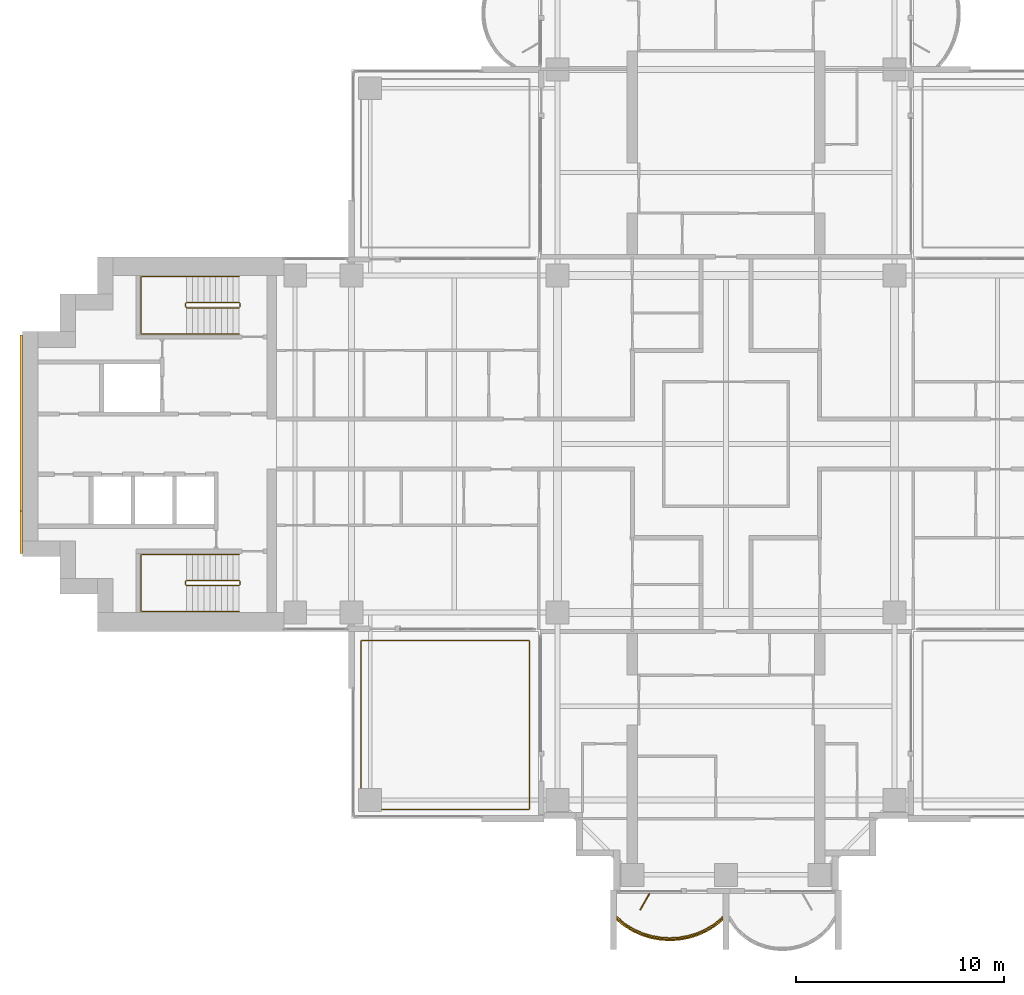
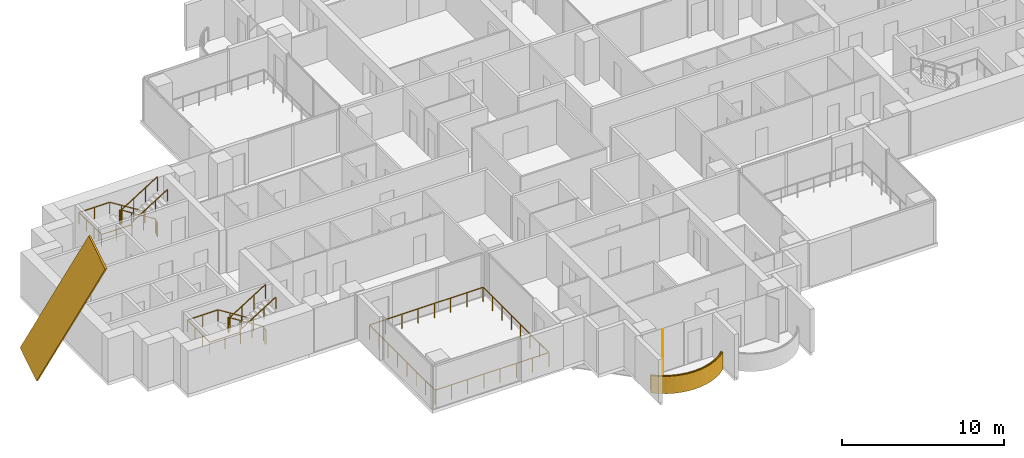
# One storey, part 15 of 18: 6 railings, 2 coverings, 1 shading device.
"""IFC4 building model written with IfcOpenShell, lengths in metres."""

from ifc_helpers import new_model, si_unit, direction, frame, origin, origin_2d, place, context, subcontext, project, spatial, polyline, rectangle, outline, extrude, material, layer, layer_set, material_profile, profile_set, type_object, element, save


model = new_model("IFC4")

# Units and contexts
model_context = context("Model", 3, precision=1e-05, world=origin(), true_north=direction((0.0, 1.0)))
body_context = subcontext(model_context, "Body", "Model", "MODEL_VIEW")
ifc_project = project(units=[si_unit("LENGTHUNIT", "METRE"), si_unit("AREAUNIT", "SQUARE_METRE"), si_unit("VOLUMEUNIT", "CUBIC_METRE"), si_unit("PLANEANGLEUNIT", "RADIAN"), si_unit("MASSUNIT", "GRAM", prefix="KILO")], contexts=[model_context])

# Site, building, storey
site_placement = place(None, origin())
site = spatial("IfcSite", under=ifc_project, at=site_placement, CompositionType="ELEMENT")
building_placement = place(site_placement, origin())
building = spatial("IfcBuilding", under=site, at=building_placement, Name="Perihelion Cross Residences", CompositionType="ELEMENT")
storey_placement = place(building_placement, frame((0.0, 0.0, 140.89990234375)))
storey = spatial("IfcBuildingStorey", under=building, at=storey_placement, Name="L34", CompositionType="ELEMENT", Elevation=140.89990234375)

# Covering
ifc_material_1 = material(Name="Bronze anodised aluminium", Category="aluminium")
ifc_layer_1 = layer(ifc_material_1, 0.070068359375)
ifc_layer_set_1 = layer_set([ifc_layer_1], Name="Balcony fascia 1300")
covering_type_1 = type_object("IfcCoveringType", Name="Balcony fascia 1300", PredefinedType="CLADDING", material=ifc_layer_set_1)
covering_1_placement = place(storey_placement, frame((0.0, 0.0, -0.199951171875)))
element("IfcCovering", 1, at=covering_1_placement, inside=storey, type_object=covering_type_1, Name="Fascia BF1 L34 south tip south bay 1", PredefinedType="CLADDING", context=body_context, shape_type="SweptSolid", body=[
    extrude(outline(polyline([(-4.86474609375, -23.197509765625), (-4.431884765625, -23.455078125), (-3.998779296875, -23.642578125), (-3.56591796875, -23.7705078125), (-3.133056640625, -23.845458984375), (-2.699951171875, -23.8701171875), (-2.26708984375, -23.845458984375), (-1.833984375, -23.7705078125), (-1.401123046875, -23.642578125), (-0.96826171875, -23.455078125), (-0.53515625, -23.197509765625), (-0.14990234375, -22.8896484375), (-0.14990234375, -22.800048828125), (-0.574951171875, -23.14013671875), (-1.0, -23.392578125), (-1.425048828125, -23.57666015625), (-1.85009765625, -23.702392578125), (-2.27490234375, -23.77587890625), (-2.699951171875, -23.800048828125), (-3.125, -23.77587890625), (-3.550048828125, -23.702392578125), (-3.97509765625, -23.57666015625), (-4.39990234375, -23.392578125), (-4.824951171875, -23.14013671875), (-5.25, -22.800048828125), (-5.25, -22.8896484375), (-4.86474609375, -23.197509765625)])), origin(), (0.0, 0.0, 1.0), 1.300048828125),
])

# Railings
ifc_material_2 = material(Name="Bronze anodised aluminium", Category="aluminium")
railing_type_1 = type_object("IfcRailingType", Name="Balcony guard 1100", PredefinedType="GUARDRAIL", material=ifc_material_2)
railing_1_placement = place(storey_placement, frame((-5.22509765625, -22.739990234375, 0.0)))
element("IfcRailing", 2, at=railing_1_placement, inside=storey, type_object=railing_type_1, Name="Guard GU1 L34 south tip south bay 1 balcony", PredefinedType="GUARDRAIL", context=body_context, shape_type="SweptSolid", body=[
    extrude(rectangle(XDim=0.048095703125, YDim=0.048095703125, at=origin_2d()), frame((0.0, 0.0, 1.076171875), z_axis=(0.761973728849, -0.647607934281, 0.0), x_axis=(0.647607934281, 0.761973728849, 0.0)), (0.0, 0.0, 1.0), 0.525146484375),
    extrude(rectangle(XDim=0.048095703125, YDim=0.048095703125, at=origin_2d()), frame((0.400146484375, -0.340087890625, 1.076171875), z_axis=(0.859576918062, -0.511006381501, 0.0), x_axis=(0.511006381501, 0.859576918062, 0.0)), (0.0, 0.0, 1.0), 0.494384765625),
    extrude(rectangle(XDim=0.048095703125, YDim=0.048095703125, at=origin_2d()), frame((0.8251953125, -0.5927734375, 1.076171875), z_axis=(0.917747942671, -0.397163333811, 0.0), x_axis=(0.397163333811, 0.917747942671, 0.0)), (0.0, 0.0, 1.0), 0.462890625),
    extrude(rectangle(XDim=0.048095703125, YDim=0.048095703125, at=origin_2d()), frame((1.25, -0.776611328125, 1.076171875), z_axis=(0.958925815697, -0.283656975924, 0.0), x_axis=(0.283656975924, 0.958925815697, 0.0)), (0.0, 0.0, 1.0), 0.443359375),
    extrude(rectangle(XDim=0.048095703125, YDim=0.048095703125, at=origin_2d()), frame((1.675048828125, -0.90234375, 1.076171875), z_axis=(0.985381583142, -0.17036177859, 0.0), x_axis=(0.17036177859, 0.985381583142, 0.0)), (0.0, 0.0, 1.0), 0.431396484375),
    extrude(rectangle(XDim=0.048095703125, YDim=0.048095703125, at=origin_2d()), frame((2.10009765625, -0.975830078125, 1.076171875), z_axis=(0.998387160354, -0.056772159032, 0.0), x_axis=(0.056772159032, 0.998387160354, 0.0)), (0.0, 0.0, 1.0), 0.42578125),
    extrude(rectangle(XDim=0.048095703125, YDim=0.048095703125, at=origin_2d()), frame((2.525146484375, -1.0, 1.076171875), z_axis=(0.998387160354, 0.056772159032, 0.0), x_axis=(-0.056772159032, 0.998387160354, 0.0)), (0.0, 0.0, 1.0), 0.42578125),
    extrude(rectangle(XDim=0.048095703125, YDim=0.048095703125, at=origin_2d()), frame((2.9501953125, -0.975830078125, 1.076171875), z_axis=(0.985365142702, 0.170456843651, 0.0), x_axis=(-0.170456843651, 0.985365142702, 0.0)), (0.0, 0.0, 1.0), 0.43115234375),
    extrude(rectangle(XDim=0.048095703125, YDim=0.048095703125, at=origin_2d()), frame((3.375, -0.90234375, 1.076171875), z_axis=(0.958925815697, 0.283656975924, 0.0), x_axis=(-0.283656975924, 0.958925815697, 0.0)), (0.0, 0.0, 1.0), 0.443359375),
    extrude(rectangle(XDim=0.048095703125, YDim=0.048095703125, at=origin_2d()), frame((3.800048828125, -0.776611328125, 1.076171875), z_axis=(0.917831080218, 0.396971167952, 0.0), x_axis=(-0.396971167952, 0.917831080218, 0.0)), (0.0, 0.0, 1.0), 0.463134765625),
    extrude(rectangle(XDim=0.048095703125, YDim=0.048095703125, at=origin_2d()), frame((4.22509765625, -0.5927734375, 1.076171875), z_axis=(0.859576918062, 0.511006381501, 0.0), x_axis=(-0.511006381501, 0.859576918062, 0.0)), (0.0, 0.0, 1.0), 0.494384765625),
    extrude(rectangle(XDim=0.048095703125, YDim=0.048095703125, at=origin_2d()), frame((4.650146484375, -0.340087890625, 1.076171875), z_axis=(0.761778647315, 0.647837396648, 0.0), x_axis=(-0.647837396648, 0.761778647315, 0.0)), (0.0, 0.0, 1.0), 0.52490234375),
    extrude(rectangle(XDim=0.0419921875, YDim=0.0419921875, at=origin_2d()), origin(), (0.0, 0.0, 1.0), 1.052001953125),
    extrude(rectangle(XDim=0.0419921875, YDim=0.0419921875, at=origin_2d()), frame((0.400146484375, -0.340087890625, 0.0)), (0.0, 0.0, 1.0), 1.052001953125),
    extrude(rectangle(XDim=0.0419921875, YDim=0.0419921875, at=origin_2d()), frame((0.8251953125, -0.5927734375, 0.0)), (0.0, 0.0, 1.0), 1.052001953125),
    extrude(rectangle(XDim=0.0419921875, YDim=0.0419921875, at=origin_2d()), frame((1.25, -0.776611328125, 0.0)), (0.0, 0.0, 1.0), 1.052001953125),
    extrude(rectangle(XDim=0.0419921875, YDim=0.0419921875, at=origin_2d()), frame((1.675048828125, -0.90234375, 0.0)), (0.0, 0.0, 1.0), 1.052001953125),
    extrude(rectangle(XDim=0.0419921875, YDim=0.0419921875, at=origin_2d()), frame((2.10009765625, -0.975830078125, 0.0)), (0.0, 0.0, 1.0), 1.052001953125),
    extrude(rectangle(XDim=0.0419921875, YDim=0.0419921875, at=origin_2d()), frame((2.525146484375, -1.0, 0.0)), (0.0, 0.0, 1.0), 1.052001953125),
    extrude(rectangle(XDim=0.0419921875, YDim=0.0419921875, at=origin_2d()), frame((2.9501953125, -0.975830078125, 0.0)), (0.0, 0.0, 1.0), 1.052001953125),
    extrude(rectangle(XDim=0.0419921875, YDim=0.0419921875, at=origin_2d()), frame((3.375, -0.90234375, 0.0)), (0.0, 0.0, 1.0), 1.052001953125),
    extrude(rectangle(XDim=0.0419921875, YDim=0.0419921875, at=origin_2d()), frame((3.800048828125, -0.776611328125, 0.0)), (0.0, 0.0, 1.0), 1.052001953125),
    extrude(rectangle(XDim=0.0419921875, YDim=0.0419921875, at=origin_2d()), frame((4.22509765625, -0.5927734375, 0.0)), (0.0, 0.0, 1.0), 1.052001953125),
    extrude(rectangle(XDim=0.0419921875, YDim=0.0419921875, at=origin_2d()), frame((4.650146484375, -0.340087890625, 0.0)), (0.0, 0.0, 1.0), 1.052001953125),
    extrude(rectangle(XDim=0.0419921875, YDim=0.0419921875, at=origin_2d()), frame((5.050048828125, 0.0, 0.0)), (0.0, 0.0, 1.0), 1.052001953125),
])
railing_2_placement = place(storey_placement, frame((-9.449951171875, -17.550048828125, 0.0)))
element("IfcRailing", 3, at=railing_2_placement, inside=storey, type_object=railing_type_1, Name="Guard GU1 L34 pocket south-west 1", PredefinedType="GUARDRAIL", context=body_context, shape_type="SweptSolid", body=[
    extrude(rectangle(XDim=0.048095703125, YDim=0.048095703125, at=origin_2d()), frame((0.0, 0.0, 1.076171875), z_axis=(-1.0, 0.0, 0.0), x_axis=(0.0, -1.0, 0.0)), (0.0, 0.0, 1.0), 8.10009765625),
    extrude(rectangle(XDim=0.048095703125, YDim=0.048095703125, at=origin_2d()), frame((-8.10009765625, 0.0, 1.076171875), z_axis=(0.0, 1.0, 0.0), x_axis=(-1.0, 0.0, 0.0)), (0.0, 0.0, 1.0), 8.10009765625),
    extrude(rectangle(XDim=0.048095703125, YDim=0.048095703125, at=origin_2d()), frame((-8.10009765625, 8.10009765625, 1.076171875), z_axis=(1.0, 0.0, 0.0), x_axis=(0.0, 1.0, 0.0)), (0.0, 0.0, 1.0), 8.10009765625),
    extrude(rectangle(XDim=0.048095703125, YDim=0.048095703125, at=origin_2d()), frame((0.0, 8.10009765625, 1.076171875), z_axis=(0.0, -1.0, 0.0), x_axis=(1.0, 0.0, 0.0)), (0.0, 0.0, 1.0), 8.10009765625),
    extrude(rectangle(XDim=0.0419921875, YDim=0.0419921875, at=origin_2d()), origin(), (0.0, 0.0, 1.0), 1.052001953125),
    extrude(rectangle(XDim=0.0419921875, YDim=0.0419921875, at=origin_2d()), frame((-1.1572265625, 0.0, 0.0)), (0.0, 0.0, 1.0), 1.052001953125),
    extrude(rectangle(XDim=0.0419921875, YDim=0.0419921875, at=origin_2d()), frame((-2.314208984375, 0.0, 0.0)), (0.0, 0.0, 1.0), 1.052001953125),
    extrude(rectangle(XDim=0.0419921875, YDim=0.0419921875, at=origin_2d()), frame((-3.471435546875, 0.0, 0.0)), (0.0, 0.0, 1.0), 1.052001953125),
    extrude(rectangle(XDim=0.0419921875, YDim=0.0419921875, at=origin_2d()), frame((-4.628662109375, 0.0, 0.0)), (0.0, 0.0, 1.0), 1.052001953125),
    extrude(rectangle(XDim=0.0419921875, YDim=0.0419921875, at=origin_2d()), frame((-5.785888671875, 0.0, 0.0)), (0.0, 0.0, 1.0), 1.052001953125),
    extrude(rectangle(XDim=0.0419921875, YDim=0.0419921875, at=origin_2d()), frame((-6.94287109375, 0.0, 0.0)), (0.0, 0.0, 1.0), 1.052001953125),
    extrude(rectangle(XDim=0.0419921875, YDim=0.0419921875, at=origin_2d()), frame((-8.10009765625, 0.0, 0.0)), (0.0, 0.0, 1.0), 1.052001953125),
    extrude(rectangle(XDim=0.0419921875, YDim=0.0419921875, at=origin_2d()), frame((-8.10009765625, 1.1572265625, 0.0)), (0.0, 0.0, 1.0), 1.052001953125),
    extrude(rectangle(XDim=0.0419921875, YDim=0.0419921875, at=origin_2d()), frame((-8.10009765625, 2.314208984375, 0.0)), (0.0, 0.0, 1.0), 1.052001953125),
    extrude(rectangle(XDim=0.0419921875, YDim=0.0419921875, at=origin_2d()), frame((-8.10009765625, 3.471435546875, 0.0)), (0.0, 0.0, 1.0), 1.052001953125),
    extrude(rectangle(XDim=0.0419921875, YDim=0.0419921875, at=origin_2d()), frame((-8.10009765625, 4.628662109375, 0.0)), (0.0, 0.0, 1.0), 1.052001953125),
    extrude(rectangle(XDim=0.0419921875, YDim=0.0419921875, at=origin_2d()), frame((-8.10009765625, 5.785888671875, 0.0)), (0.0, 0.0, 1.0), 1.052001953125),
    extrude(rectangle(XDim=0.0419921875, YDim=0.0419921875, at=origin_2d()), frame((-8.10009765625, 6.94287109375, 0.0)), (0.0, 0.0, 1.0), 1.052001953125),
    extrude(rectangle(XDim=0.0419921875, YDim=0.0419921875, at=origin_2d()), frame((-8.10009765625, 8.10009765625, 0.0)), (0.0, 0.0, 1.0), 1.052001953125),
    extrude(rectangle(XDim=0.0419921875, YDim=0.0419921875, at=origin_2d()), frame((-6.94287109375, 8.10009765625, 0.0)), (0.0, 0.0, 1.0), 1.052001953125),
    extrude(rectangle(XDim=0.0419921875, YDim=0.0419921875, at=origin_2d()), frame((-5.785888671875, 8.10009765625, 0.0)), (0.0, 0.0, 1.0), 1.052001953125),
    extrude(rectangle(XDim=0.0419921875, YDim=0.0419921875, at=origin_2d()), frame((-4.628662109375, 8.10009765625, 0.0)), (0.0, 0.0, 1.0), 1.052001953125),
    extrude(rectangle(XDim=0.0419921875, YDim=0.0419921875, at=origin_2d()), frame((-3.471435546875, 8.10009765625, 0.0)), (0.0, 0.0, 1.0), 1.052001953125),
    extrude(rectangle(XDim=0.0419921875, YDim=0.0419921875, at=origin_2d()), frame((-2.314208984375, 8.10009765625, 0.0)), (0.0, 0.0, 1.0), 1.052001953125),
    extrude(rectangle(XDim=0.0419921875, YDim=0.0419921875, at=origin_2d()), frame((-1.1572265625, 8.10009765625, 0.0)), (0.0, 0.0, 1.0), 1.052001953125),
    extrude(rectangle(XDim=0.0419921875, YDim=0.0419921875, at=origin_2d()), frame((0.0, 8.10009765625, 0.0)), (0.0, 0.0, 1.0), 1.052001953125),
    extrude(rectangle(XDim=0.0419921875, YDim=0.0419921875, at=origin_2d()), frame((0.0, 6.94287109375, 0.0)), (0.0, 0.0, 1.0), 1.052001953125),
    extrude(rectangle(XDim=0.0419921875, YDim=0.0419921875, at=origin_2d()), frame((0.0, 5.785888671875, 0.0)), (0.0, 0.0, 1.0), 1.052001953125),
    extrude(rectangle(XDim=0.0419921875, YDim=0.0419921875, at=origin_2d()), frame((0.0, 4.628662109375, 0.0)), (0.0, 0.0, 1.0), 1.052001953125),
    extrude(rectangle(XDim=0.0419921875, YDim=0.0419921875, at=origin_2d()), frame((0.0, 3.471435546875, 0.0)), (0.0, 0.0, 1.0), 1.052001953125),
    extrude(rectangle(XDim=0.0419921875, YDim=0.0419921875, at=origin_2d()), frame((0.0, 2.314208984375, 0.0)), (0.0, 0.0, 1.0), 1.052001953125),
    extrude(rectangle(XDim=0.0419921875, YDim=0.0419921875, at=origin_2d()), frame((0.0, 1.1572265625, 0.0)), (0.0, 0.0, 1.0), 1.052001953125),
])

# Covering
ifc_material_3 = material(Name="Bronze anodised aluminium", Category="aluminium")
ifc_material_profile = material_profile(ifc_material_3, rectangle(XDim=0.125, YDim=2.39990234375, at=origin_2d()), Name="Bronze cladding band 2400")
ifc_profile_set = profile_set([ifc_material_profile], Name="Bronze anodised aluminium")
covering_type_2 = type_object("IfcCoveringType", Name="Bronze cladding band 2400", PredefinedType="CLADDING", material=ifc_profile_set)
covering_2_placement = place(storey_placement, frame((-33.862548828125, 4.232421875, -4.45166015625), z_axis=(0.0, -0.529924750763, 0.848044667767), x_axis=(1.0, 0.0, 0.0)))
element("IfcCovering", 4, at=covering_2_placement, inside=storey, type_object=covering_type_2, Name="Core cladding band, west core", PredefinedType="CLADDING", context=body_context, shape_type="SweptSolid", body=[
    extrude(rectangle(XDim=0.125, YDim=2.39990234375, at=origin_2d()), origin(), (0.0, 0.0, 1.0), 15.9736328125),
])

# Shading device
ifc_material_4 = material(Name="Bronze anodised aluminium", Category="aluminium")
ifc_layer_2 = layer(ifc_material_4, 0.050048828125)
ifc_layer_set_2 = layer_set([ifc_layer_2], Name="Bronze fin 900")
shading_device_type = type_object("IfcShadingDeviceType", Name="Bronze fin 900", PredefinedType="USERDEFINED", material=ifc_layer_set_2)
shading_device_placement = place(storey_placement, frame((-3.89990234375, -21.98974609375, 0.0), z_axis=(0.0, 0.0, 1.0), x_axis=(-0.5, -0.866025403784, 0.0)))
element("IfcShadingDevice", 5, at=shading_device_placement, inside=storey, type_object=shading_device_type, Name="Fin FN1 L34 south tip south bay 1", ObjectType="FIN", PredefinedType="USERDEFINED", context=body_context, shape_type="SweptSolid", body=[
    extrude(rectangle(XDim=0.89990234375, YDim=0.050048828125, at=origin_2d()), origin(), (0.0, 0.0, 1.0), 3.25),
])

# Railings
ifc_material_5 = material(Name="Stainless steel", Category="steel")
railing_type_2 = type_object("IfcRailingType", Name="Stair guard 1100", PredefinedType="GUARDRAIL", material=ifc_material_5)
railing_3_placement = place(storey_placement, frame((-23.35009765625, 6.60009765625, 0.0)))
element("IfcRailing", 6, at=railing_3_placement, inside=storey, type_object=railing_type_2, Name="L34 ST-W1 stair guard 1", PredefinedType="GUARDRAIL", context=body_context, shape_type="SweptSolid", body=[
    extrude(rectangle(XDim=0.048095703125, YDim=0.048095703125, at=origin_2d()), frame((0.0, 0.0, 1.076171875), z_axis=(0.0, 1.0, 0.0), x_axis=(-1.0, 0.0, 0.0)), (0.0, 0.0, 1.0), 0.14990234375),
    extrude(rectangle(XDim=0.048095703125, YDim=0.048095703125, at=origin_2d()), frame((0.0, 0.14990234375, 1.076171875), z_axis=(-0.263862480399, 0.265155923931, 0.927399011991), x_axis=(-0.708833529934, -0.705375805398, 0.0)), (0.0, 0.0, 1.0), 0.188720703125),
    extrude(rectangle(XDim=0.048095703125, YDim=0.048095703125, at=origin_2d()), frame((-0.0498046875, 0.199951171875, 1.2509765625), z_axis=(-0.848007534815, 0.0, 0.529984170421), x_axis=(0.0, -1.0, 0.0)), (0.0, 0.0, 1.0), 2.9716796875),
    extrude(rectangle(XDim=0.048095703125, YDim=0.048095703125, at=origin_2d()), frame((-2.56982421875, 0.199951171875, 2.826171875), z_axis=(-0.707106781187, -0.707106781187, 0.0), x_axis=(0.707106781187, -0.707106781187, 0.0)), (0.0, 0.0, 1.0), 0.07080078125),
    extrude(rectangle(XDim=0.048095703125, YDim=0.048095703125, at=origin_2d()), frame((-2.619873046875, 0.14990234375, 2.826171875), z_axis=(0.0, -1.0, 0.0), x_axis=(1.0, 0.0, 0.0)), (0.0, 0.0, 1.0), 0.14990234375),
    extrude(rectangle(XDim=0.048095703125, YDim=0.048095703125, at=origin_2d()), frame((-2.619873046875, 0.0, 2.826171875), z_axis=(0.265065253269, -0.265065253269, 0.927081885822), x_axis=(0.707106781187, 0.707106781187, 0.0)), (0.0, 0.0, 1.0), 0.188720703125),
    extrude(rectangle(XDim=0.048095703125, YDim=0.048095703125, at=origin_2d()), frame((-2.56982421875, -0.050048828125, 3.0009765625), z_axis=(0.848007534815, 0.0, 0.529984170421), x_axis=(0.0, 1.0, 0.0)), (0.0, 0.0, 1.0), 2.9716796875),
    extrude(rectangle(XDim=0.0419921875, YDim=0.0419921875, at=origin_2d()), origin(), (0.0, 0.0, 1.0), 1.052001953125),
    extrude(rectangle(XDim=0.0419921875, YDim=0.0419921875, at=origin_2d()), frame((0.0, 0.14990234375, 0.0)), (0.0, 0.0, 1.0), 1.052001953125),
    extrude(rectangle(XDim=0.0419921875, YDim=0.0419921875, at=origin_2d()), frame((-0.0498046875, 0.199951171875, 0.175048828125)), (0.0, 0.0, 1.0), 1.052001953125),
    extrude(rectangle(XDim=0.0419921875, YDim=0.0419921875, at=origin_2d()), frame((-0.889892578125, 0.199951171875, 0.699951171875)), (0.0, 0.0, 1.0), 1.052001953125),
    extrude(rectangle(XDim=0.0419921875, YDim=0.0419921875, at=origin_2d()), frame((-1.729736328125, 0.199951171875, 1.22509765625)), (0.0, 0.0, 1.0), 1.052001953125),
    extrude(rectangle(XDim=0.0419921875, YDim=0.0419921875, at=origin_2d()), frame((-2.56982421875, 0.199951171875, 1.75)), (0.0, 0.0, 1.0), 1.052001953125),
    extrude(rectangle(XDim=0.0419921875, YDim=0.0419921875, at=origin_2d()), frame((-2.619873046875, 0.14990234375, 1.75)), (0.0, 0.0, 1.0), 1.052001953125),
    extrude(rectangle(XDim=0.0419921875, YDim=0.0419921875, at=origin_2d()), frame((-2.619873046875, 0.0, 1.75)), (0.0, 0.0, 1.0), 1.052001953125),
    extrude(rectangle(XDim=0.0419921875, YDim=0.0419921875, at=origin_2d()), frame((-2.56982421875, -0.050048828125, 1.925048828125)), (0.0, 0.0, 1.0), 1.052001953125),
    extrude(rectangle(XDim=0.0419921875, YDim=0.0419921875, at=origin_2d()), frame((-1.729736328125, -0.050048828125, 2.449951171875)), (0.0, 0.0, 1.0), 1.052001953125),
    extrude(rectangle(XDim=0.0419921875, YDim=0.0419921875, at=origin_2d()), frame((-0.889892578125, -0.050048828125, 2.97509765625)), (0.0, 0.0, 1.0), 1.052001953125),
    extrude(rectangle(XDim=0.0419921875, YDim=0.0419921875, at=origin_2d()), frame((-0.0498046875, -0.050048828125, 3.5)), (0.0, 0.0, 1.0), 1.052001953125),
])
railing_4_placement = place(storey_placement, frame((-23.35009765625, -6.75, 0.0)))
element("IfcRailing", 7, at=railing_4_placement, inside=storey, type_object=railing_type_2, Name="L34 ST-W2 stair guard 1", PredefinedType="GUARDRAIL", context=body_context, shape_type="SweptSolid", body=[
    extrude(rectangle(XDim=0.048095703125, YDim=0.048095703125, at=origin_2d()), frame((0.0, 0.0, 1.076171875), z_axis=(0.0, 1.0, 0.0), x_axis=(-1.0, 0.0, 0.0)), (0.0, 0.0, 1.0), 0.14990234375),
    extrude(rectangle(XDim=0.048095703125, YDim=0.048095703125, at=origin_2d()), frame((0.0, 0.14990234375, 1.076171875), z_axis=(-0.263862480399, 0.265155923931, 0.927399011991), x_axis=(-0.708833529934, -0.705375805398, 0.0)), (0.0, 0.0, 1.0), 0.188720703125),
    extrude(rectangle(XDim=0.048095703125, YDim=0.048095703125, at=origin_2d()), frame((-0.0498046875, 0.199951171875, 1.2509765625), z_axis=(-0.848007534815, 0.0, 0.529984170421), x_axis=(0.0, -1.0, 0.0)), (0.0, 0.0, 1.0), 2.9716796875),
    extrude(rectangle(XDim=0.048095703125, YDim=0.048095703125, at=origin_2d()), frame((-2.56982421875, 0.199951171875, 2.826171875), z_axis=(-0.707106781187, -0.707106781187, 0.0), x_axis=(0.707106781187, -0.707106781187, 0.0)), (0.0, 0.0, 1.0), 0.07080078125),
    extrude(rectangle(XDim=0.048095703125, YDim=0.048095703125, at=origin_2d()), frame((-2.619873046875, 0.14990234375, 2.826171875), z_axis=(0.0, -1.0, 0.0), x_axis=(1.0, 0.0, 0.0)), (0.0, 0.0, 1.0), 0.14990234375),
    extrude(rectangle(XDim=0.048095703125, YDim=0.048095703125, at=origin_2d()), frame((-2.619873046875, 0.0, 2.826171875), z_axis=(0.265065253269, -0.265065253269, 0.927081885822), x_axis=(0.707106781187, 0.707106781187, 0.0)), (0.0, 0.0, 1.0), 0.188720703125),
    extrude(rectangle(XDim=0.048095703125, YDim=0.048095703125, at=origin_2d()), frame((-2.56982421875, -0.050048828125, 3.0009765625), z_axis=(0.848007534815, 0.0, 0.529984170421), x_axis=(0.0, 1.0, 0.0)), (0.0, 0.0, 1.0), 2.9716796875),
    extrude(rectangle(XDim=0.0419921875, YDim=0.0419921875, at=origin_2d()), origin(), (0.0, 0.0, 1.0), 1.052001953125),
    extrude(rectangle(XDim=0.0419921875, YDim=0.0419921875, at=origin_2d()), frame((0.0, 0.14990234375, 0.0)), (0.0, 0.0, 1.0), 1.052001953125),
    extrude(rectangle(XDim=0.0419921875, YDim=0.0419921875, at=origin_2d()), frame((-0.0498046875, 0.199951171875, 0.175048828125)), (0.0, 0.0, 1.0), 1.052001953125),
    extrude(rectangle(XDim=0.0419921875, YDim=0.0419921875, at=origin_2d()), frame((-0.889892578125, 0.199951171875, 0.699951171875)), (0.0, 0.0, 1.0), 1.052001953125),
    extrude(rectangle(XDim=0.0419921875, YDim=0.0419921875, at=origin_2d()), frame((-1.729736328125, 0.199951171875, 1.22509765625)), (0.0, 0.0, 1.0), 1.052001953125),
    extrude(rectangle(XDim=0.0419921875, YDim=0.0419921875, at=origin_2d()), frame((-2.56982421875, 0.199951171875, 1.75)), (0.0, 0.0, 1.0), 1.052001953125),
    extrude(rectangle(XDim=0.0419921875, YDim=0.0419921875, at=origin_2d()), frame((-2.619873046875, 0.14990234375, 1.75)), (0.0, 0.0, 1.0), 1.052001953125),
    extrude(rectangle(XDim=0.0419921875, YDim=0.0419921875, at=origin_2d()), frame((-2.619873046875, 0.0, 1.75)), (0.0, 0.0, 1.0), 1.052001953125),
    extrude(rectangle(XDim=0.0419921875, YDim=0.0419921875, at=origin_2d()), frame((-2.56982421875, -0.050048828125, 1.925048828125)), (0.0, 0.0, 1.0), 1.052001953125),
    extrude(rectangle(XDim=0.0419921875, YDim=0.0419921875, at=origin_2d()), frame((-1.729736328125, -0.050048828125, 2.449951171875)), (0.0, 0.0, 1.0), 1.052001953125),
    extrude(rectangle(XDim=0.0419921875, YDim=0.0419921875, at=origin_2d()), frame((-0.889892578125, -0.050048828125, 2.97509765625)), (0.0, 0.0, 1.0), 1.052001953125),
    extrude(rectangle(XDim=0.0419921875, YDim=0.0419921875, at=origin_2d()), frame((-0.0498046875, -0.050048828125, 3.5)), (0.0, 0.0, 1.0), 1.052001953125),
])
ifc_material_6 = material(Name="Stainless steel", Category="steel")
railing_type_3 = type_object("IfcRailingType", Name="Stair handrail 900", PredefinedType="HANDRAIL", material=ifc_material_6)
railing_5_placement = place(storey_placement, frame((-23.39990234375, 8.050048828125, 0.175048828125)))
element("IfcRailing", 8, at=railing_5_placement, inside=storey, type_object=railing_type_3, Name="L34 ST-W1 stair handrail 1", PredefinedType="HANDRAIL", context=body_context, shape_type="SweptSolid", body=[
    extrude(rectangle(XDim=0.048095703125, YDim=0.048095703125, at=origin_2d()), frame((0.0, 0.0, 0.8759765625), z_axis=(-0.848007534815, 0.0, 0.529984170421), x_axis=(0.0, -1.0, 0.0)), (0.0, 0.0, 1.0), 2.9716796875),
    extrude(rectangle(XDim=0.048095703125, YDim=0.048095703125, at=origin_2d()), frame((-2.52001953125, 0.0, 2.45068359375), z_axis=(-1.0, 0.0, 0.0), x_axis=(0.0, -1.0, 0.0)), (0.0, 0.0, 1.0), 2.18017578125),
    extrude(rectangle(XDim=0.048095703125, YDim=0.048095703125, at=origin_2d()), frame((-4.7001953125, 0.0, 2.45068359375), z_axis=(0.0, -1.0, 0.0), x_axis=(1.0, 0.0, 0.0)), (0.0, 0.0, 1.0), 2.75),
    extrude(rectangle(XDim=0.048095703125, YDim=0.048095703125, at=origin_2d()), frame((-4.7001953125, -2.75, 2.45068359375), z_axis=(1.0, 0.0, 0.0), x_axis=(0.0, 1.0, 0.0)), (0.0, 0.0, 1.0), 2.18017578125),
    extrude(rectangle(XDim=0.048095703125, YDim=0.048095703125, at=origin_2d()), frame((-2.52001953125, -2.75, 2.45068359375), z_axis=(0.0, 0.0, 1.0), x_axis=(1.0, 0.0, 0.0)), (0.0, 0.0, 1.0), 0.175048828125),
    extrude(rectangle(XDim=0.048095703125, YDim=0.048095703125, at=origin_2d()), frame((-2.52001953125, -2.75, 2.6259765625), z_axis=(0.848007534815, 0.0, 0.529984170421), x_axis=(0.0, 1.0, 0.0)), (0.0, 0.0, 1.0), 2.9716796875),
    extrude(rectangle(XDim=0.0419921875, YDim=0.0419921875, at=origin_2d()), origin(), (0.0, 0.0, 1.0), 0.851806640625),
    extrude(rectangle(XDim=0.0419921875, YDim=0.0419921875, at=origin_2d()), frame((-0.840087890625, 0.0, 0.52490234375)), (0.0, 0.0, 1.0), 0.851806640625),
    extrude(rectangle(XDim=0.0419921875, YDim=0.0419921875, at=origin_2d()), frame((-1.679931640625, 0.0, 1.050048828125)), (0.0, 0.0, 1.0), 0.851806640625),
    extrude(rectangle(XDim=0.0419921875, YDim=0.0419921875, at=origin_2d()), frame((-2.52001953125, 0.0, 1.574951171875)), (0.0, 0.0, 1.0), 0.851806640625),
    extrude(rectangle(XDim=0.0419921875, YDim=0.0419921875, at=origin_2d()), frame((-3.610107421875, 0.0, 1.574951171875)), (0.0, 0.0, 1.0), 0.851806640625),
    extrude(rectangle(XDim=0.0419921875, YDim=0.0419921875, at=origin_2d()), frame((-4.7001953125, 0.0, 1.574951171875)), (0.0, 0.0, 1.0), 0.851806640625),
    extrude(rectangle(XDim=0.0419921875, YDim=0.0419921875, at=origin_2d()), frame((-4.7001953125, -0.916748046875, 1.574951171875)), (0.0, 0.0, 1.0), 0.851806640625),
    extrude(rectangle(XDim=0.0419921875, YDim=0.0419921875, at=origin_2d()), frame((-4.7001953125, -1.833251953125, 1.574951171875)), (0.0, 0.0, 1.0), 0.851806640625),
    extrude(rectangle(XDim=0.0419921875, YDim=0.0419921875, at=origin_2d()), frame((-4.7001953125, -2.75, 1.574951171875)), (0.0, 0.0, 1.0), 0.851806640625),
    extrude(rectangle(XDim=0.0419921875, YDim=0.0419921875, at=origin_2d()), frame((-3.610107421875, -2.75, 1.574951171875)), (0.0, 0.0, 1.0), 0.851806640625),
    extrude(rectangle(XDim=0.0419921875, YDim=0.0419921875, at=origin_2d()), frame((-2.52001953125, -2.75, 1.574951171875)), (0.0, 0.0, 1.0), 0.851806640625),
    extrude(rectangle(XDim=0.0419921875, YDim=0.0419921875, at=origin_2d()), frame((-2.52001953125, -2.75, 1.75)), (0.0, 0.0, 1.0), 0.851806640625),
    extrude(rectangle(XDim=0.0419921875, YDim=0.0419921875, at=origin_2d()), frame((-1.679931640625, -2.75, 2.27490234375)), (0.0, 0.0, 1.0), 0.851806640625),
    extrude(rectangle(XDim=0.0419921875, YDim=0.0419921875, at=origin_2d()), frame((-0.840087890625, -2.75, 2.800048828125)), (0.0, 0.0, 1.0), 0.851806640625),
    extrude(rectangle(XDim=0.0419921875, YDim=0.0419921875, at=origin_2d()), frame((0.0, -2.75, 3.324951171875)), (0.0, 0.0, 1.0), 0.851806640625),
])
railing_6_placement = place(storey_placement, frame((-23.39990234375, -5.300048828125, 0.175048828125)))
element("IfcRailing", 9, at=railing_6_placement, inside=storey, type_object=railing_type_3, Name="L34 ST-W2 stair handrail 1", PredefinedType="HANDRAIL", context=body_context, shape_type="SweptSolid", body=[
    extrude(rectangle(XDim=0.048095703125, YDim=0.048095703125, at=origin_2d()), frame((0.0, 0.0, 0.8759765625), z_axis=(-0.848007534815, 0.0, 0.529984170421), x_axis=(0.0, -1.0, 0.0)), (0.0, 0.0, 1.0), 2.9716796875),
    extrude(rectangle(XDim=0.048095703125, YDim=0.048095703125, at=origin_2d()), frame((-2.52001953125, 0.0, 2.45068359375), z_axis=(-1.0, 0.0, 0.0), x_axis=(0.0, -1.0, 0.0)), (0.0, 0.0, 1.0), 2.18017578125),
    extrude(rectangle(XDim=0.048095703125, YDim=0.048095703125, at=origin_2d()), frame((-4.7001953125, 0.0, 2.45068359375), z_axis=(0.0, -1.0, 0.0), x_axis=(1.0, 0.0, 0.0)), (0.0, 0.0, 1.0), 2.75),
    extrude(rectangle(XDim=0.048095703125, YDim=0.048095703125, at=origin_2d()), frame((-4.7001953125, -2.75, 2.45068359375), z_axis=(1.0, 0.0, 0.0), x_axis=(0.0, 1.0, 0.0)), (0.0, 0.0, 1.0), 2.18017578125),
    extrude(rectangle(XDim=0.048095703125, YDim=0.048095703125, at=origin_2d()), frame((-2.52001953125, -2.75, 2.45068359375), z_axis=(0.0, 0.0, 1.0), x_axis=(1.0, 0.0, 0.0)), (0.0, 0.0, 1.0), 0.175048828125),
    extrude(rectangle(XDim=0.048095703125, YDim=0.048095703125, at=origin_2d()), frame((-2.52001953125, -2.75, 2.6259765625), z_axis=(0.848007534815, 0.0, 0.529984170421), x_axis=(0.0, 1.0, 0.0)), (0.0, 0.0, 1.0), 2.9716796875),
    extrude(rectangle(XDim=0.0419921875, YDim=0.0419921875, at=origin_2d()), origin(), (0.0, 0.0, 1.0), 0.851806640625),
    extrude(rectangle(XDim=0.0419921875, YDim=0.0419921875, at=origin_2d()), frame((-0.840087890625, 0.0, 0.52490234375)), (0.0, 0.0, 1.0), 0.851806640625),
    extrude(rectangle(XDim=0.0419921875, YDim=0.0419921875, at=origin_2d()), frame((-1.679931640625, 0.0, 1.050048828125)), (0.0, 0.0, 1.0), 0.851806640625),
    extrude(rectangle(XDim=0.0419921875, YDim=0.0419921875, at=origin_2d()), frame((-2.52001953125, 0.0, 1.574951171875)), (0.0, 0.0, 1.0), 0.851806640625),
    extrude(rectangle(XDim=0.0419921875, YDim=0.0419921875, at=origin_2d()), frame((-3.610107421875, 0.0, 1.574951171875)), (0.0, 0.0, 1.0), 0.851806640625),
    extrude(rectangle(XDim=0.0419921875, YDim=0.0419921875, at=origin_2d()), frame((-4.7001953125, 0.0, 1.574951171875)), (0.0, 0.0, 1.0), 0.851806640625),
    extrude(rectangle(XDim=0.0419921875, YDim=0.0419921875, at=origin_2d()), frame((-4.7001953125, -0.916748046875, 1.574951171875)), (0.0, 0.0, 1.0), 0.851806640625),
    extrude(rectangle(XDim=0.0419921875, YDim=0.0419921875, at=origin_2d()), frame((-4.7001953125, -1.833251953125, 1.574951171875)), (0.0, 0.0, 1.0), 0.851806640625),
    extrude(rectangle(XDim=0.0419921875, YDim=0.0419921875, at=origin_2d()), frame((-4.7001953125, -2.75, 1.574951171875)), (0.0, 0.0, 1.0), 0.851806640625),
    extrude(rectangle(XDim=0.0419921875, YDim=0.0419921875, at=origin_2d()), frame((-3.610107421875, -2.75, 1.574951171875)), (0.0, 0.0, 1.0), 0.851806640625),
    extrude(rectangle(XDim=0.0419921875, YDim=0.0419921875, at=origin_2d()), frame((-2.52001953125, -2.75, 1.574951171875)), (0.0, 0.0, 1.0), 0.851806640625),
    extrude(rectangle(XDim=0.0419921875, YDim=0.0419921875, at=origin_2d()), frame((-2.52001953125, -2.75, 1.75)), (0.0, 0.0, 1.0), 0.851806640625),
    extrude(rectangle(XDim=0.0419921875, YDim=0.0419921875, at=origin_2d()), frame((-1.679931640625, -2.75, 2.27490234375)), (0.0, 0.0, 1.0), 0.851806640625),
    extrude(rectangle(XDim=0.0419921875, YDim=0.0419921875, at=origin_2d()), frame((-0.840087890625, -2.75, 2.800048828125)), (0.0, 0.0, 1.0), 0.851806640625),
    extrude(rectangle(XDim=0.0419921875, YDim=0.0419921875, at=origin_2d()), frame((0.0, -2.75, 3.324951171875)), (0.0, 0.0, 1.0), 0.851806640625),
])

save(model, "model.ifc")
